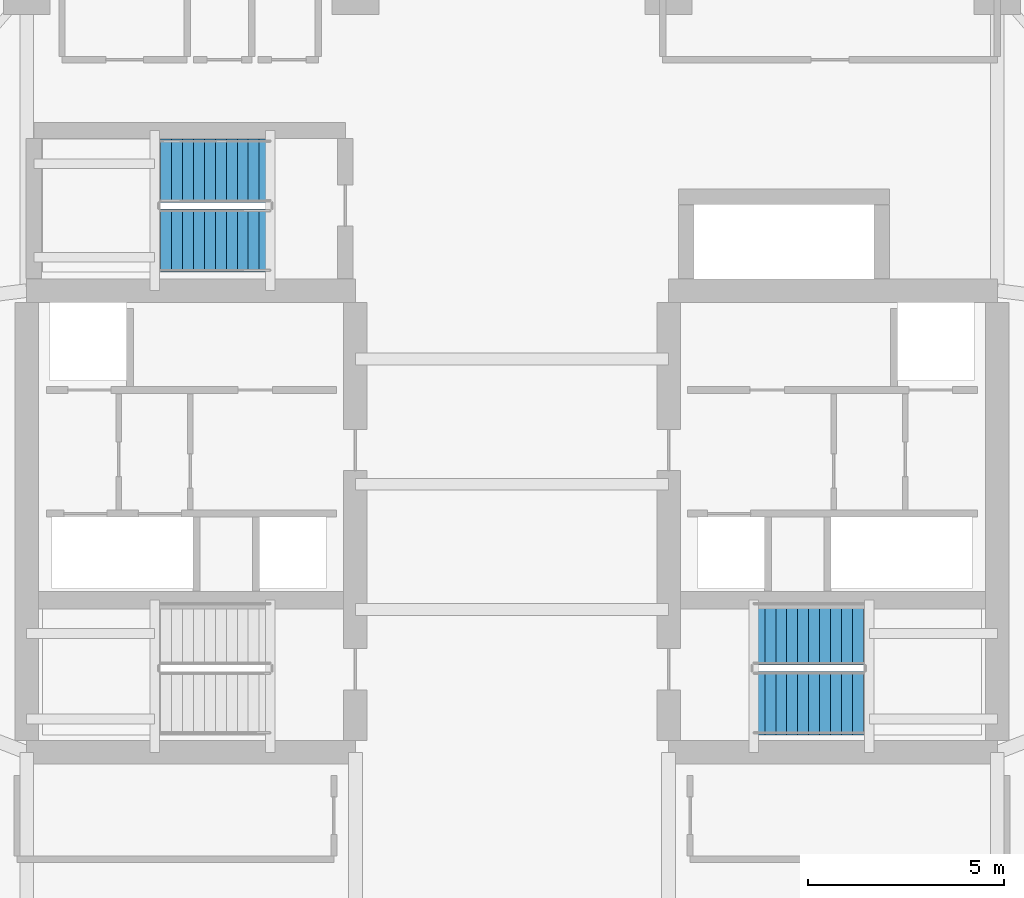
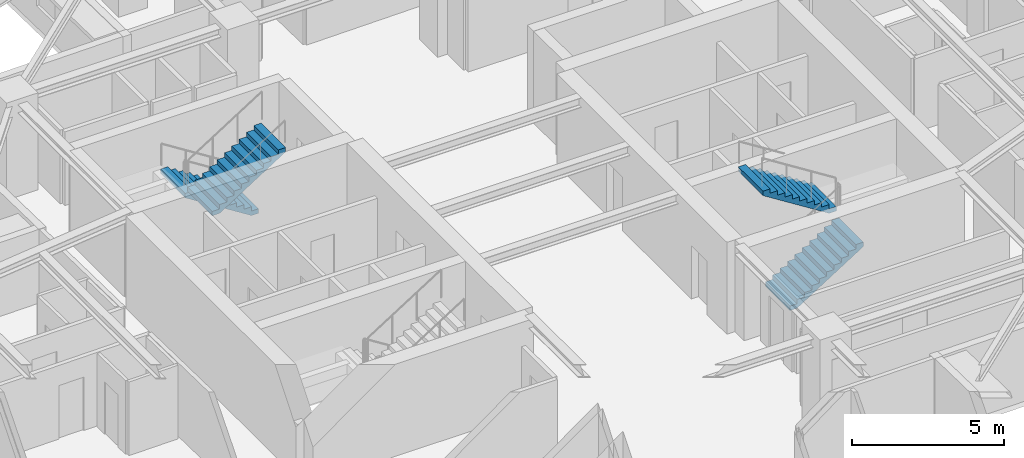
# One storey, part 9 of 14: 4 stair flights, 2 elements without a shape of their own.
"""IFC4 building model written with IfcOpenShell, lengths in metres."""

from ifc_helpers import new_model, si_unit, direction, frame, origin, place, context, subcontext, project, spatial, polyline, outline, extrude, material, layer, layer_set, type_object, element, aggregate, save


model = new_model("IFC4")

# Units and contexts
model_context = context("Model", 3, precision=1e-05, world=origin(), true_north=direction((0.0, 1.0)))
body_context = subcontext(model_context, "Body", "Model", "MODEL_VIEW")
ifc_project = project(units=[si_unit("LENGTHUNIT", "METRE"), si_unit("AREAUNIT", "SQUARE_METRE"), si_unit("VOLUMEUNIT", "CUBIC_METRE"), si_unit("PLANEANGLEUNIT", "RADIAN"), si_unit("MASSUNIT", "GRAM", prefix="KILO")], contexts=[model_context])

# Site, building, storey
site_placement = place(None, origin())
site = spatial("IfcSite", under=ifc_project, at=site_placement, CompositionType="ELEMENT")
building_placement = place(site_placement, origin())
building = spatial("IfcBuilding", under=site, at=building_placement, Name="Qingluan Cross Belvedere", CompositionType="ELEMENT")
storey_placement = place(building_placement, frame((0.0, 0.0, 108.60009765625)))
storey = spatial("IfcBuildingStorey", under=building, at=storey_placement, Name="L27", CompositionType="ELEMENT", Elevation=108.60009765625)

# Stair, stair flights
ifc_material_1 = material(Name="Concrete C40", Category="concrete")
stair_type = type_object("IfcStairType", Name="CoreDoglegStair_1620", PredefinedType="HALF_TURN_STAIR", material=ifc_material_1)
stair_1_placement = place(storey_placement, origin())
stair_1 = element("IfcStair", 1, at=stair_1_placement, inside=storey, type_object=stair_type, Name="L27 ST2", PredefinedType="HALF_TURN_STAIR")
ifc_material_2 = material(Name="Concrete C40", Category="concrete")
ifc_layer = layer(ifc_material_2, 0.179931640625, Name="StairFlight_RC180")
ifc_layer_set = layer_set([ifc_layer], Name="Concrete C40")
stair_flight_type = type_object("IfcStairFlightType", Name="StairFlight_RC180", PredefinedType="STRAIGHT", material=ifc_layer_set)
stair_flight_1_placement = place(storey_placement, frame((6.179931640625, -5.590087890625, 0.0), z_axis=(0.0, 0.0, 1.0), x_axis=(1.0, 0.0, 0.0)))
stair_flight_1 = element("IfcStairFlight", 2, at=stair_flight_1_placement, type_object=stair_flight_type, Name="ST2 flight 1", NumberOfRisers=11, NumberOfTreads=10, PredefinedType="STRAIGHT", RiserHeight=0.177272727, TreadLength=0.28, context=body_context, shape_type="SweptSolid", body=[
    extrude(outline(polyline([(0.0, 0.0), (0.0, 0.17724609375), (0.280029296875, 0.17724609375), (0.280029296875, 0.3544921875), (0.56005859375, 0.3544921875), (0.56005859375, 0.53173828125), (0.840087890625, 0.53173828125), (0.840087890625, 0.708984375), (1.1201171875, 0.708984375), (1.1201171875, 0.886474609375), (1.39990234375, 0.886474609375), (1.39990234375, 1.063720703125), (1.679931640625, 1.063720703125), (1.679931640625, 1.240966796875), (1.9599609375, 1.240966796875), (1.9599609375, 1.418212890625), (2.239990234375, 1.418212890625), (2.239990234375, 1.595458984375), (2.52001953125, 1.595458984375), (2.52001953125, 1.772705078125), (2.800048828125, 1.772705078125), (2.800048828125, 1.949951171875), (2.800048828125, 1.59521484375), (0.2802734375, 0.0), (0.0, 0.0)])), frame((0.0, 0.81005859375, 0.0), z_axis=(0.0, -1.0, 0.0), x_axis=(1.0, 0.0, 0.0)), (0.0, 0.0, 1.0), 1.6201171875),
])
stair_flight_2_placement = place(storey_placement, frame((8.97998046875, -3.81005859375, 1.949951171875), z_axis=(0.0, 0.0, 1.0), x_axis=(-1.0, 0.0, 0.0)))
stair_flight_2 = element("IfcStairFlight", 3, at=stair_flight_2_placement, type_object=stair_flight_type, Name="ST2 flight 2", NumberOfRisers=11, NumberOfTreads=10, PredefinedType="STRAIGHT", RiserHeight=0.177272727, TreadLength=0.28, context=body_context, shape_type="SweptSolid", body=[
    extrude(outline(polyline([(0.0, 0.0), (0.0, 0.17724609375), (0.280029296875, 0.17724609375), (0.280029296875, 0.3544921875), (0.56005859375, 0.3544921875), (0.56005859375, 0.53173828125), (0.840087890625, 0.53173828125), (0.840087890625, 0.708984375), (1.1201171875, 0.708984375), (1.1201171875, 0.886474609375), (1.39990234375, 0.886474609375), (1.39990234375, 1.063720703125), (1.679931640625, 1.063720703125), (1.679931640625, 1.240966796875), (1.9599609375, 1.240966796875), (1.9599609375, 1.418212890625), (2.239990234375, 1.418212890625), (2.239990234375, 1.595458984375), (2.52001953125, 1.595458984375), (2.52001953125, 1.772705078125), (2.800048828125, 1.772705078125), (2.800048828125, 1.949951171875), (2.800048828125, 1.59521484375), (0.2802734375, 0.0), (0.0, 0.0)])), frame((0.0, 0.81005859375, 0.0), z_axis=(0.0, -1.0, 0.0), x_axis=(1.0, 0.0, 0.0)), (0.0, 0.0, 1.0), 1.6201171875),
])
aggregate(stair_1, [stair_flight_1, stair_flight_2])

stair_2_placement = place(storey_placement, origin())
stair_2 = element("IfcStair", 4, at=stair_2_placement, inside=storey, type_object=stair_type, Name="L27 ST3", PredefinedType="HALF_TURN_STAIR")
stair_flight_3_placement = place(storey_placement, frame((-6.179931640625, 8.010009765625, 0.0), z_axis=(0.0, 0.0, 1.0), x_axis=(-1.0, 0.0, 0.0)))
stair_flight_3 = element("IfcStairFlight", 5, at=stair_flight_3_placement, type_object=stair_flight_type, Name="ST3 flight 1", NumberOfRisers=11, NumberOfTreads=10, PredefinedType="STRAIGHT", RiserHeight=0.177272727, TreadLength=0.28, context=body_context, shape_type="SweptSolid", body=[
    extrude(outline(polyline([(0.0, 0.0), (0.0, 0.17724609375), (0.280029296875, 0.17724609375), (0.280029296875, 0.3544921875), (0.56005859375, 0.3544921875), (0.56005859375, 0.53173828125), (0.840087890625, 0.53173828125), (0.840087890625, 0.708984375), (1.1201171875, 0.708984375), (1.1201171875, 0.886474609375), (1.39990234375, 0.886474609375), (1.39990234375, 1.063720703125), (1.679931640625, 1.063720703125), (1.679931640625, 1.240966796875), (1.9599609375, 1.240966796875), (1.9599609375, 1.418212890625), (2.239990234375, 1.418212890625), (2.239990234375, 1.595458984375), (2.52001953125, 1.595458984375), (2.52001953125, 1.772705078125), (2.800048828125, 1.772705078125), (2.800048828125, 1.949951171875), (2.800048828125, 1.59521484375), (0.2802734375, 0.0), (0.0, 0.0)])), frame((0.0, 0.81005859375, 0.0), z_axis=(0.0, -1.0, 0.0), x_axis=(1.0, 0.0, 0.0)), (0.0, 0.0, 1.0), 1.6201171875),
])
stair_flight_4_placement = place(storey_placement, frame((-8.97998046875, 6.22998046875, 1.949951171875), z_axis=(0.0, 0.0, 1.0), x_axis=(1.0, 0.0, 0.0)))
stair_flight_4 = element("IfcStairFlight", 6, at=stair_flight_4_placement, type_object=stair_flight_type, Name="ST3 flight 2", NumberOfRisers=11, NumberOfTreads=10, PredefinedType="STRAIGHT", RiserHeight=0.177272727, TreadLength=0.28, context=body_context, shape_type="SweptSolid", body=[
    extrude(outline(polyline([(0.0, 0.0), (0.0, 0.17724609375), (0.280029296875, 0.17724609375), (0.280029296875, 0.3544921875), (0.56005859375, 0.3544921875), (0.56005859375, 0.53173828125), (0.840087890625, 0.53173828125), (0.840087890625, 0.708984375), (1.1201171875, 0.708984375), (1.1201171875, 0.886474609375), (1.39990234375, 0.886474609375), (1.39990234375, 1.063720703125), (1.679931640625, 1.063720703125), (1.679931640625, 1.240966796875), (1.9599609375, 1.240966796875), (1.9599609375, 1.418212890625), (2.239990234375, 1.418212890625), (2.239990234375, 1.595458984375), (2.52001953125, 1.595458984375), (2.52001953125, 1.772705078125), (2.800048828125, 1.772705078125), (2.800048828125, 1.949951171875), (2.800048828125, 1.59521484375), (0.2802734375, 0.0), (0.0, 0.0)])), frame((0.0, 0.81005859375, 0.0), z_axis=(0.0, -1.0, 0.0), x_axis=(1.0, 0.0, 0.0)), (0.0, 0.0, 1.0), 1.6201171875),
])
aggregate(stair_2, [stair_flight_3, stair_flight_4])

save(model, "model.ifc")
